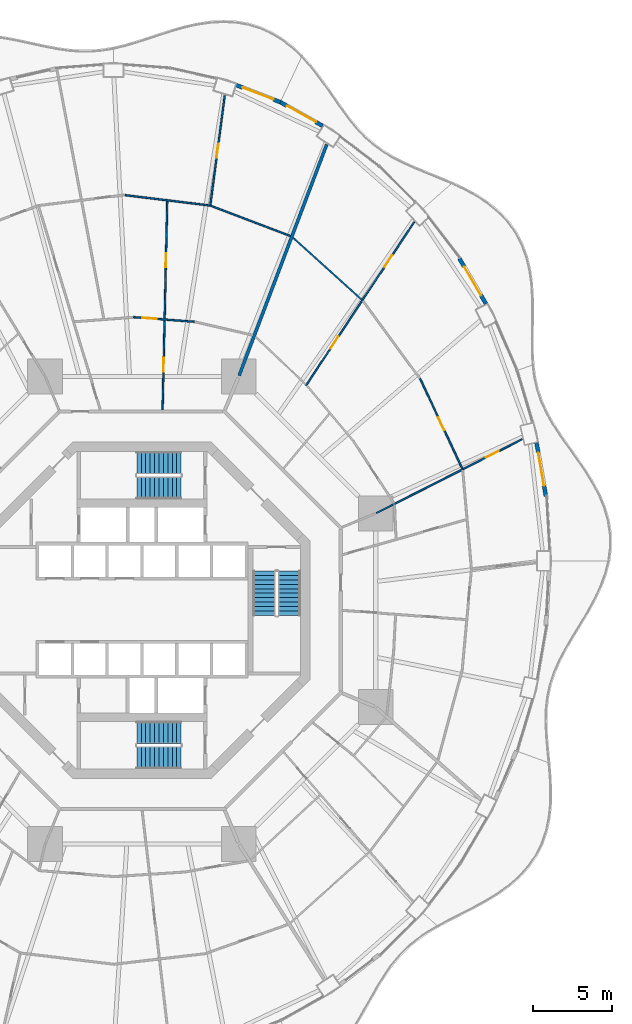
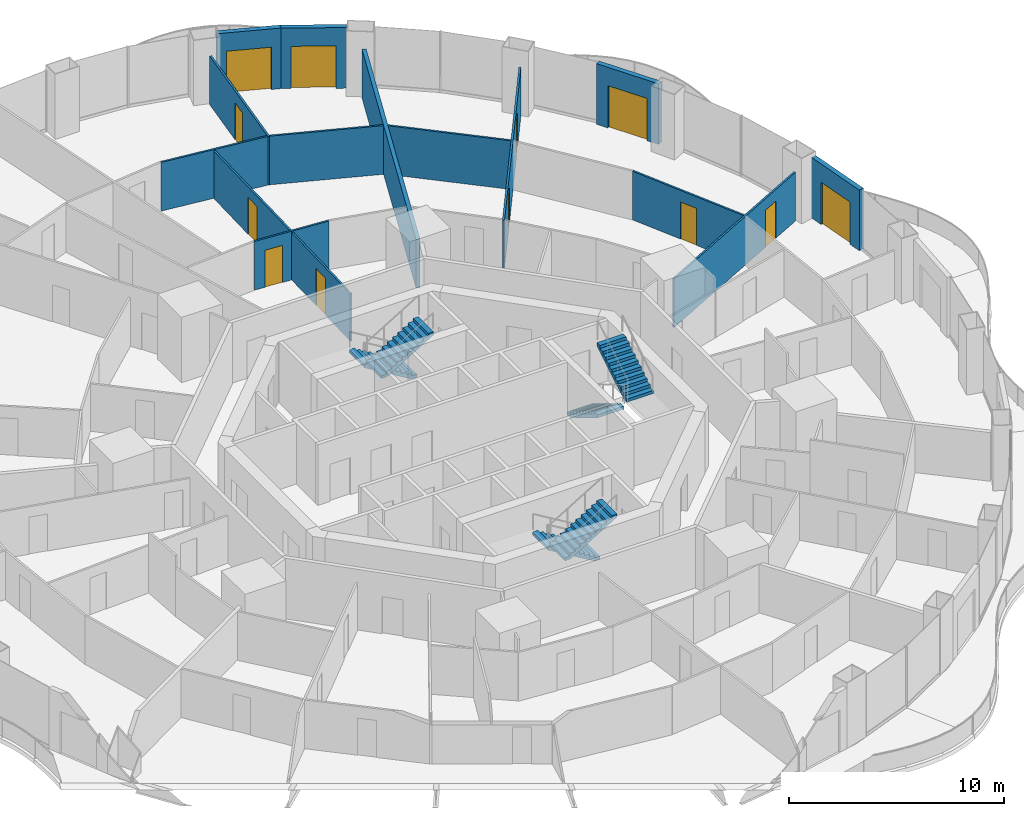
# One storey, part 19 of 22: 14 walls, 12 doors, 6 stair flights, 12 openings, 3 elements without a shape of their own.
"""IFC4 building model written with IfcOpenShell, lengths in metres."""

import ifcopenshell
import ifcopenshell.guid

model = None  # the IFC model being written
_history = None  # IfcOwnerHistory: only IFC2X3 demands one
_inside = {}  # id of a spatial element -> (the spatial element, [elements in it])
_under = {}  # id of a project, library or spatial element -> (it, [spatial elements below it])
_declared = {}  # id of a project -> (the project, [libraries it declares])
_typed = {}  # id of a type object -> (the type object, [elements of that type])
_made_of = {}  # id of a material, layer set ... -> (it, [elements and type objects made of it])


def new_model(schema):
    """Start an empty IFC model of exactly this schema.

    Asked for "IFC4X3", IfcOpenShell would pick the latest addendum, in which some entities
    have other attributes; the version numbers below select the first issue.
    IFC2X3 requires an IfcOwnerHistory on every rooted entity: one is made here for all.
    """
    global model, _history
    if schema == "IFC4X3":
        model = ifcopenshell.file(schema_version=(4, 3, 0, 0))
    else:
        model = ifcopenshell.file(schema=schema)
    _inside.clear()
    _under.clear()
    _declared.clear()
    _typed.clear()
    _made_of.clear()
    _history = None
    if model.schema == "IFC2X3":
        org = make("IfcOrganization", Name="unknown")
        user = make(
            "IfcPersonAndOrganization",
            ThePerson=make("IfcPerson", FamilyName="unknown"),
            TheOrganization=org,
        )
        app = make(
            "IfcApplication",
            ApplicationDeveloper=org,
            Version="unknown",
            ApplicationFullName="unknown",
            ApplicationIdentifier="unknown",
        )
        _history = make(
            "IfcOwnerHistory",
            OwningUser=user,
            OwningApplication=app,
            ChangeAction="ADDED",
            CreationDate=0,
        )
    return model


def make(cls, **values):
    """One entity of the class cls with the attributes given. An attribute that is None is left unset."""
    return model.create_entity(
        cls, **{name: value for name, value in values.items() if value is not None}
    )


def rooted(cls, **values):
    """An entity with a GlobalId (a new one), such as an element, a storey or a relation."""
    return make(cls, GlobalId=ifcopenshell.guid.new(), OwnerHistory=_history, **values)


def si_unit(unit_type, name, prefix=None):
    """IfcSIUnit, for example si_unit("LENGTHUNIT", "METRE", prefix="MILLI")."""
    return make("IfcSIUnit", UnitType=unit_type, Prefix=prefix, Name=name)


def assignment(units):
    """IfcUnitAssignment: the units of a project."""
    return None if units is None else make("IfcUnitAssignment", Units=units)


def point(xyz):
    """IfcCartesianPoint."""
    return None if xyz is None else make("IfcCartesianPoint", Coordinates=xyz)


def direction(xyz):
    """IfcDirection."""
    return None if xyz is None else make("IfcDirection", DirectionRatios=xyz)


def frame(location, z_axis=None, x_axis=None):
    """IfcAxis2Placement3D, a coordinate frame: its origin and axes. An axis left out is left unset."""
    return make(
        "IfcAxis2Placement3D",
        Location=point(location),
        Axis=direction(z_axis),
        RefDirection=direction(x_axis),
    )


def frame_2d(location, x_axis=None):
    """IfcAxis2Placement2D, a coordinate frame in the plane: its origin and x axis."""
    return make(
        "IfcAxis2Placement2D", Location=point(location), RefDirection=direction(x_axis)
    )


def origin():
    """The frame at (0, 0, 0) with its axes left unset."""
    return frame((0.0, 0.0, 0.0))


def place(relative_to, where):
    """IfcLocalPlacement: puts the frame where relative to a parent placement (None: the world)."""
    return make(
        "IfcLocalPlacement", PlacementRelTo=relative_to, RelativePlacement=where
    )


def context(
    kind, dimensions, precision=None, world=None, true_north=None, identifier=None
):
    """IfcGeometricRepresentationContext, for example the 3D "Model" context."""
    return make(
        "IfcGeometricRepresentationContext",
        ContextIdentifier=identifier,
        ContextType=kind,
        CoordinateSpaceDimension=dimensions,
        Precision=precision,
        WorldCoordinateSystem=world,
        TrueNorth=true_north,
    )


def subcontext(parent, identifier, kind, view, scale=None):
    """IfcGeometricRepresentationSubContext, for example "Body" below "Model"."""
    return make(
        "IfcGeometricRepresentationSubContext",
        ContextIdentifier=identifier,
        ContextType=kind,
        ParentContext=parent,
        TargetScale=scale,
        TargetView=view,
    )


def project(units=None, contexts=None):
    """IfcProject with its units and contexts."""
    return rooted(
        "IfcProject",
        Name="project",
        RepresentationContexts=contexts,
        UnitsInContext=assignment(units),
    )


def spatial(cls, under=None, at=None, **own):
    """A site, building, storey or space (cls), placed at a placement, below another one or the project."""
    s = rooted(cls, ObjectPlacement=at, **own)
    if under is not None:
        _under.setdefault(under.id(), (under, []))[1].append(s)
    return s


def polyline(points):
    """IfcPolyline through the points."""
    return make("IfcPolyline", Points=[point(p) for p in points])


def profile(cls, at=None, kind="AREA", **sizes):
    """A parametric profile (cls). Its sizes go by their IFC names, for example OverallWidth=200.0."""
    return make(cls, ProfileType=kind, Position=at, **sizes)


def rectangle(**sizes):
    """IfcRectangleProfileDef."""
    return profile("IfcRectangleProfileDef", **sizes)


def outline(outer, holes=None, kind="AREA"):
    """IfcArbitraryClosedProfileDef: a profile drawn as a closed curve; with holes, ...WithVoids."""
    if holes is None:
        return make("IfcArbitraryClosedProfileDef", ProfileType=kind, OuterCurve=outer)
    return make(
        "IfcArbitraryProfileDefWithVoids",
        ProfileType=kind,
        OuterCurve=outer,
        InnerCurves=holes,
    )


def extrude(swept, where, along, depth):
    """IfcExtrudedAreaSolid: the profile swept, set in the frame where, extruded along a direction by depth."""
    return make(
        "IfcExtrudedAreaSolid",
        SweptArea=swept,
        Position=where,
        ExtrudedDirection=direction(along),
        Depth=depth,
    )


def shape(context_of_items, identifier, shape_type, items):
    """IfcShapeRepresentation: the items that make up one representation, for example the "Body"."""
    return make(
        "IfcShapeRepresentation",
        ContextOfItems=context_of_items,
        RepresentationIdentifier=identifier,
        RepresentationType=shape_type,
        Items=items,
    )


def material(Name=None, Category=None):
    """IfcMaterial."""
    return make("IfcMaterial", Name=Name, Category=Category)


def layer(
    of_material, thickness, ventilated=None, Name=None, Category=None, Priority=None
):
    """IfcMaterialLayer: one layer of a wall or slab, of a material (None: an air gap)."""
    return make(
        "IfcMaterialLayer",
        Material=of_material,
        LayerThickness=thickness,
        IsVentilated=ventilated,
        Name=Name,
        Category=Category,
        Priority=Priority,
    )


def layer_set(layers, Name=None):
    """IfcMaterialLayerSet."""
    return make("IfcMaterialLayerSet", MaterialLayers=layers, LayerSetName=Name)


def made_of(thing, what):
    """Note that an element or type object is made of a material, layer set ...; save() writes the relation."""
    if what is not None:
        _made_of.setdefault(what.id(), (what, []))[1].append(thing)
    return thing


def type_object(cls, material=None, **own):
    """A type object (cls), such as IfcWallType, which elements share."""
    return made_of(rooted(cls, **own), material)


def element(
    cls,
    number,
    at=None,
    inside=None,
    cuts=None,
    type_object=None,
    material=None,
    context=None,
    identifier="Body",
    shape_type=None,
    held_by="IfcProductDefinitionShape",
    body=None,
    shapes=None,
    **own,
):
    """One element of the class cls, such as IfcWall. Its Tag is "e" and its number.

    at: its placement. inside: the storey or other place that contains it. cuts: it is an
    opening in that element (IfcRelVoidsElement). A single representation is given by context,
    identifier, shape_type and body (its items); several are given by shapes. held_by: the class
    of the entity that holds the representations. save() writes the other relations.
    """
    e = rooted(cls, Tag="e%d" % number, ObjectPlacement=at, **own)
    if body is not None:
        shapes = [shape(context, identifier, shape_type, body)]
    if shapes is not None:
        e.Representation = make(held_by, Representations=shapes)
    if inside is not None:
        _inside.setdefault(inside.id(), (inside, []))[1].append(e)
    if cuts is not None:
        rooted(
            "IfcRelVoidsElement", RelatingBuildingElement=cuts, RelatedOpeningElement=e
        )
    if type_object is not None:
        _typed.setdefault(type_object.id(), (type_object, []))[1].append(e)
    return made_of(e, material)


def fill(opening, filler):
    """IfcRelFillsElement: the door or window that sits in an opening."""
    return rooted(
        "IfcRelFillsElement",
        RelatingOpeningElement=opening,
        RelatedBuildingElement=filler,
    )


def aggregate(whole, parts):
    """IfcRelAggregates: a whole, such as a stair, and the parts it consists of."""
    return rooted("IfcRelAggregates", RelatingObject=whole, RelatedObjects=parts)


def save(model, path):
    """Write the relations noted so far, then the file.

    IfcRelAggregates (storeys below a building ...), IfcRelContainedInSpatialStructure (elements
    in a storey), IfcRelDefinesByType, IfcRelAssociatesMaterial and IfcRelDeclares: one each for
    every whole, place, type object, material and project.
    """
    for whole, parts in _under.values():
        aggregate(whole, parts)
    for where, things in _inside.values():
        rooted(
            "IfcRelContainedInSpatialStructure",
            RelatedElements=things,
            RelatingStructure=where,
        )
    for kind, things in _typed.values():
        rooted("IfcRelDefinesByType", RelatedObjects=things, RelatingType=kind)
    for what, things in _made_of.values():
        rooted("IfcRelAssociatesMaterial", RelatedObjects=things, RelatingMaterial=what)
    for by, libraries in _declared.values():
        rooted("IfcRelDeclares", RelatingContext=by, RelatedDefinitions=libraries)
    model.write(path)


model = new_model("IFC4")

# Units and contexts
model_context = context("Model", 3, precision=1e-05, world=origin(), true_north=direction((0.0, 1.0)))
body_context = subcontext(model_context, "Body", "Model", "MODEL_VIEW")
ifc_project = project(units=[si_unit("LENGTHUNIT", "METRE"), si_unit("AREAUNIT", "SQUARE_METRE"), si_unit("VOLUMEUNIT", "CUBIC_METRE"), si_unit("PLANEANGLEUNIT", "RADIAN"), si_unit("MASSUNIT", "GRAM", prefix="KILO")], contexts=[model_context])

# Site, building, storey
site_placement = place(None, origin())
site = spatial("IfcSite", under=ifc_project, at=site_placement, CompositionType="ELEMENT")
building_placement = place(site_placement, origin())
building = spatial("IfcBuilding", under=site, at=building_placement, Name="Nagisa Residences", CompositionType="ELEMENT")
storey_placement = place(building_placement, frame((0.0, 0.0, 91.800048828125)))
storey = spatial("IfcBuildingStorey", under=building, at=storey_placement, Name="L22", CompositionType="ELEMENT", Elevation=91.800048828125)

# Wall
ifc_material_1 = material(Name="Gypsum board on steel studs", Category="steel")
ifc_layer_1 = layer(ifc_material_1, 0.199951171875)
ifc_layer_set_1 = layer_set([ifc_layer_1], Name="Apartment compartment wall EI60 200")
wall_type_1 = type_object("IfcWallType", Name="Apartment compartment wall EI60 200", PredefinedType="PARTITIONING", material=ifc_layer_set_1)
wall_1_placement = place(storey_placement, frame((6.140625, 14.828857421875, 0.0), z_axis=(0.0, 0.0, 1.0), x_axis=(0.354477134193, 0.935064682968, 0.0)))
element("IfcWall", 1, at=wall_1_placement, inside=storey, type_object=wall_type_1, Name="wall:L22:u01", PredefinedType="PARTITIONING", context=body_context, shape_type="SweptSolid", body=[
    extrude(rectangle(XDim=15.6259765625, YDim=0.199951171875, at=frame_2d((7.81298828125, 0.0))), origin(), (0.0, 0.0, 1.0), 2.761962890625),
])

# Wall, opening, door
ifc_material_2 = material(Name="Gypsum board on steel studs", Category="steel")
ifc_layer_2 = layer(ifc_material_2, 0.10009765625)
ifc_layer_set_2 = layer_set([ifc_layer_2], Name="Apartment partition 100")
wall_type_2 = type_object("IfcWallType", Name="Apartment partition 100", PredefinedType="PARTITIONING", material=ifc_layer_set_2)
wall_2_placement = place(storey_placement, frame((14.82666015625, 6.1455078125, 0.0), z_axis=(0.0, 0.0, 1.0), x_axis=(0.892068075337, 0.451901038906, 0.0)))
wall_2 = element("IfcWall", 2, at=wall_2_placement, inside=storey, type_object=wall_type_2, Name="wall:L22:u24", PredefinedType="PARTITIONING", context=body_context, shape_type="SweptSolid", body=[
    extrude(rectangle(XDim=10.31982421875, YDim=0.10009765625, at=frame_2d((5.159912109375, 0.0))), origin(), (0.0, 0.0, 1.0), 2.761962890625),
])
opening_1_placement = place(wall_2_placement, frame((7.762939453125, 0.0, 0.0)))
opening_1 = element("IfcOpeningElement", 3, at=opening_1_placement, cuts=wall_2, Name="Opening L22-U51", PredefinedType="OPENING", context=body_context, shape_type="SweptSolid", body=[
    extrude(rectangle(XDim=0.89990234375, YDim=2.10009765625, at=frame_2d((0.449951171875, 1.050048828125))), frame((0.0, 0.06005859375, 0.0), z_axis=(0.0, -1.0, 0.0), x_axis=(1.0, 0.0, 0.0)), (0.0, 0.0, 1.0), 0.1201171875),
])
ifc_material_3 = material(Name="Timber door set", Category="wood")
door_type_1 = type_object("IfcDoorType", Name="Apartment door 900x2100", OperationType="NOTDEFINED", PredefinedType="DOOR", material=ifc_material_3)
door_1_placement = place(opening_1_placement, origin())
door_1 = element("IfcDoor", 4, at=door_1_placement, inside=storey, type_object=door_type_1, Name="Door to family room, Apartment 22E", OperationType="SINGLE_SWING_LEFT", OverallHeight=2.10009765625, OverallWidth=0.89990234375, PredefinedType="DOOR", context=body_context, shape_type="SweptSolid", body=[
    extrude(rectangle(XDim=0.89990234375, YDim=2.10009765625, at=frame_2d((0.449951171875, 1.050048828125))), frame((0.0, 0.02490234375, 0.0), z_axis=(0.0, -1.0, 0.0), x_axis=(1.0, 0.0, 0.0)), (0.0, 0.0, 1.0), 0.050048828125),
])
fill(opening_1, door_1)

wall_3_placement = place(storey_placement, frame((20.252197265625, 8.949951171875, 0.0), z_axis=(0.0, 0.0, 1.0), x_axis=(-0.424580709335, 0.905390093419, 0.0)))
wall_3 = element("IfcWall", 5, at=wall_3_placement, inside=storey, type_object=wall_type_2, Name="wall:L22:u26", PredefinedType="PARTITIONING", context=body_context, shape_type="SweptSolid", body=[
    extrude(rectangle(XDim=6.304443359375, YDim=0.10009765625, at=frame_2d((3.15234375, 0.0))), origin(), (0.0, 0.0, 1.0), 2.761962890625),
])
opening_2_placement = place(wall_3_placement, frame((2.67724609375, 0.0, 0.0)))
opening_2 = element("IfcOpeningElement", 6, at=opening_2_placement, cuts=wall_3, Name="Opening L22-U53", PredefinedType="OPENING", context=body_context, shape_type="SweptSolid", body=[
    extrude(rectangle(XDim=0.89990234375, YDim=2.10009765625, at=frame_2d((0.449951171875, 1.050048828125))), frame((0.0, 0.06005859375, 0.0), z_axis=(0.0, -1.0, 0.0), x_axis=(1.0, 0.0, 0.0)), (0.0, 0.0, 1.0), 0.1201171875),
])
door_2_placement = place(opening_2_placement, origin())
door_2 = element("IfcDoor", 7, at=door_2_placement, inside=storey, type_object=door_type_1, Name="Door to dining room, Apartment 22E", OperationType="SINGLE_SWING_LEFT", OverallHeight=2.10009765625, OverallWidth=0.89990234375, PredefinedType="DOOR", context=body_context, shape_type="SweptSolid", body=[
    extrude(rectangle(XDim=0.89990234375, YDim=2.10009765625, at=frame_2d((0.449951171875, 1.050048828125))), frame((0.0, 0.02490234375, 0.0), z_axis=(0.0, -1.0, 0.0), x_axis=(1.0, 0.0, 0.0)), (0.0, 0.0, 1.0), 0.050048828125),
])
fill(opening_2, door_2)

# Wall, openings, doors
wall_4_placement = place(storey_placement, frame((10.3642578125, 14.1982421875, 0.0), z_axis=(0.0, 0.0, 1.0), x_axis=(0.552104552927, 0.833774887267, 0.0)))
wall_4 = element("IfcWall", 8, at=wall_4_placement, inside=storey, type_object=wall_type_2, Name="wall:L22:u30", PredefinedType="PARTITIONING", context=body_context, shape_type="SweptSolid", body=[
    extrude(rectangle(XDim=12.40673828125, YDim=0.10009765625, at=frame_2d((6.203369140625, 0.0))), origin(), (0.0, 0.0, 1.0), 2.761962890625),
])
opening_3_placement = place(wall_4_placement, frame((8.98779296875, 0.0, 0.0)))
opening_3 = element("IfcOpeningElement", 9, at=opening_3_placement, cuts=wall_4, Name="Opening L22-U52", PredefinedType="OPENING", context=body_context, shape_type="SweptSolid", body=[
    extrude(rectangle(XDim=0.89990234375, YDim=2.10009765625, at=frame_2d((0.449951171875, 1.050048828125))), frame((0.0, 0.06005859375, 0.0), z_axis=(0.0, -1.0, 0.0), x_axis=(1.0, 0.0, 0.0)), (0.0, 0.0, 1.0), 0.1201171875),
])
opening_4_placement = place(wall_4_placement, frame((2.809326171875, 0.0, 0.0)))
opening_4 = element("IfcOpeningElement", 10, at=opening_4_placement, cuts=wall_4, Name="Opening L22-U54", PredefinedType="OPENING", context=body_context, shape_type="SweptSolid", body=[
    extrude(rectangle(XDim=0.89990234375, YDim=2.10009765625, at=frame_2d((0.449951171875, 1.050048828125))), frame((0.0, 0.06005859375, 0.0), z_axis=(0.0, -1.0, 0.0), x_axis=(1.0, 0.0, 0.0)), (0.0, 0.0, 1.0), 0.1201171875),
])
door_3_placement = place(opening_3_placement, origin())
door_3 = element("IfcDoor", 11, at=door_3_placement, inside=storey, type_object=door_type_1, Name="Door to master bedroom, Apartment 22E", OperationType="SINGLE_SWING_RIGHT", OverallHeight=2.10009765625, OverallWidth=0.89990234375, PredefinedType="DOOR", context=body_context, shape_type="SweptSolid", body=[
    extrude(rectangle(XDim=0.89990234375, YDim=2.10009765625, at=frame_2d((0.449951171875, 1.050048828125))), frame((0.0, 0.02490234375, 0.0), z_axis=(0.0, -1.0, 0.0), x_axis=(1.0, 0.0, 0.0)), (0.0, 0.0, 1.0), 0.050048828125),
])
fill(opening_3, door_3)
door_4_placement = place(opening_4_placement, origin())
door_4 = element("IfcDoor", 12, at=door_4_placement, inside=storey, type_object=door_type_1, Name="Door to kitchen, Apartment 22E", OperationType="SINGLE_SWING_RIGHT", OverallHeight=2.10009765625, OverallWidth=0.89990234375, PredefinedType="DOOR", context=body_context, shape_type="SweptSolid", body=[
    extrude(rectangle(XDim=0.89990234375, YDim=2.10009765625, at=frame_2d((0.449951171875, 1.050048828125))), frame((0.0, 0.02490234375, 0.0), z_axis=(0.0, -1.0, 0.0), x_axis=(1.0, 0.0, 0.0)), (0.0, 0.0, 1.0), 0.050048828125),
])
fill(opening_4, door_4)

# Walls
wall_5_placement = place(storey_placement, frame((13.8984375, 19.625244140625, 0.0), z_axis=(0.0, 0.0, 1.0), x_axis=(-0.742396654702, 0.669960601146, 0.0)))
element("IfcWall", 13, at=wall_5_placement, inside=storey, type_object=wall_type_2, Name="wall:L22:u32", PredefinedType="PARTITIONING", context=body_context, shape_type="SweptSolid", body=[
    extrude(rectangle(XDim=5.861083984375, YDim=0.10009765625, at=frame_2d((2.9306640625, 0.0))), origin(), (0.0, 0.0, 1.0), 2.761962890625),
])
wall_6_placement = place(storey_placement, frame((9.37939453125, 23.654541015625, 0.0), z_axis=(0.0, 0.0, 1.0), x_axis=(-0.934613076136, 0.355666132653, 0.0)))
element("IfcWall", 14, at=wall_6_placement, inside=storey, type_object=wall_type_2, Name="wall:L22:u34", PredefinedType="PARTITIONING", context=body_context, shape_type="SweptSolid", body=[
    extrude(rectangle(XDim=5.366455078125, YDim=0.10009765625, at=frame_2d((2.68310546875, 0.0))), origin(), (0.0, 0.0, 1.0), 2.761962890625),
])

# Wall, opening, door
wall_7_placement = place(storey_placement, frame((3.299072265625, 18.23681640625, 0.0), z_axis=(0.0, 0.0, 1.0), x_axis=(-0.997152243414, 0.075414875552, 0.0)))
wall_7 = element("IfcWall", 15, at=wall_7_placement, inside=storey, type_object=wall_type_2, Name="wall:L22:u35", PredefinedType="PARTITIONING", context=body_context, shape_type="SweptSolid", body=[
    extrude(rectangle(XDim=3.845947265625, YDim=0.10009765625, at=frame_2d((1.9228515625, 0.0))), origin(), (0.0, 0.0, 1.0), 2.761962890625),
])
opening_5_placement = place(wall_7_placement, frame((2.384521484375, 0.0, 0.0)))
opening_5 = element("IfcOpeningElement", 16, at=opening_5_placement, cuts=wall_7, Name="Opening L22-U05", PredefinedType="OPENING", context=body_context, shape_type="SweptSolid", body=[
    extrude(rectangle(XDim=0.89990234375, YDim=2.10009765625, at=frame_2d((0.449951171875, 1.050048828125))), frame((0.0, 0.06005859375, 0.0), z_axis=(0.0, -1.0, 0.0), x_axis=(1.0, 0.0, 0.0)), (0.0, 0.0, 1.0), 0.1201171875),
])
door_5_placement = place(opening_5_placement, frame((0.89990234375, 0.0, 0.0), x_axis=(-1.0, 0.0, 0.0)))
door_5 = element("IfcDoor", 17, at=door_5_placement, inside=storey, type_object=door_type_1, Name="Door to kitchen, Apartment 22A", OperationType="SINGLE_SWING_RIGHT", OverallHeight=2.10009765625, OverallWidth=0.89990234375, PredefinedType="DOOR", context=body_context, shape_type="SweptSolid", body=[
    extrude(rectangle(XDim=0.89990234375, YDim=2.10009765625, at=frame_2d((0.449951171875, 1.050048828125))), frame((0.0, 0.02490234375, 0.0), z_axis=(0.0, -1.0, 0.0), x_axis=(1.0, 0.0, 0.0)), (0.0, 0.0, 1.0), 0.050048828125),
])
fill(opening_5, door_5)

wall_8_placement = place(storey_placement, frame((4.310546875, 25.531494140625, 0.0), z_axis=(0.0, 0.0, 1.0), x_axis=(0.130604008227, 0.991434613595, 0.0)))
wall_8 = element("IfcWall", 18, at=wall_8_placement, inside=storey, type_object=wall_type_2, Name="wall:L22:u36", PredefinedType="PARTITIONING", context=body_context, shape_type="SweptSolid", body=[
    extrude(rectangle(XDim=7.054931640625, YDim=0.10009765625, at=frame_2d((3.52734375, 0.0))), origin(), (0.0, 0.0, 1.0), 2.761962890625),
])
opening_6_placement = place(wall_8_placement, frame((3.102294921875, 0.0, 0.0)))
opening_6 = element("IfcOpeningElement", 19, at=opening_6_placement, cuts=wall_8, Name="Opening L22-U16", PredefinedType="OPENING", context=body_context, shape_type="SweptSolid", body=[
    extrude(rectangle(XDim=0.89990234375, YDim=2.10009765625, at=frame_2d((0.449951171875, 1.050048828125))), frame((0.0, 0.06005859375, 0.0), z_axis=(0.0, -1.0, 0.0), x_axis=(1.0, 0.0, 0.0)), (0.0, 0.0, 1.0), 0.1201171875),
])
door_6_placement = place(opening_6_placement, frame((0.89990234375, 0.0, 0.0), x_axis=(-1.0, 0.0, 0.0)))
door_6 = element("IfcDoor", 20, at=door_6_placement, inside=storey, type_object=door_type_1, Name="Door to living room, Apartment 22A", OperationType="SINGLE_SWING_LEFT", OverallHeight=2.10009765625, OverallWidth=0.89990234375, PredefinedType="DOOR", context=body_context, shape_type="SweptSolid", body=[
    extrude(rectangle(XDim=0.89990234375, YDim=2.10009765625, at=frame_2d((0.449951171875, 1.050048828125))), frame((0.0, 0.02490234375, 0.0), z_axis=(0.0, -1.0, 0.0), x_axis=(1.0, 0.0, 0.0)), (0.0, 0.0, 1.0), 0.050048828125),
])
fill(opening_6, door_6)

# Wall
wall_9_placement = place(storey_placement, frame((4.267333984375, 25.587158203125, 0.0), z_axis=(0.0, 0.0, 1.0), x_axis=(-0.992576206119, 0.121624319302, 0.0)))
element("IfcWall", 21, at=wall_9_placement, inside=storey, type_object=wall_type_2, Name="wall:L22:u37", PredefinedType="PARTITIONING", context=body_context, shape_type="SweptSolid", body=[
    extrude(rectangle(XDim=5.37353515625, YDim=0.10009765625, at=frame_2d((2.686767578125, 0.0))), origin(), (0.0, 0.0, 1.0), 2.761962890625),
])

# Wall, openings, doors
wall_10_placement = place(storey_placement, frame((1.303466796875, 12.664794921875, 0.0), z_axis=(0.0, 0.0, 1.0), x_axis=(0.022412244057, 0.999748814111, 0.0)))
wall_10 = element("IfcWall", 22, at=wall_10_placement, inside=storey, type_object=wall_type_2, Name="wall:L22:u38", PredefinedType="PARTITIONING", context=body_context, shape_type="SweptSolid", body=[
    extrude(rectangle(XDim=13.20263671875, YDim=0.10009765625, at=frame_2d((6.601318359375, 0.0))), origin(), (0.0, 0.0, 1.0), 2.68701171875),
])
opening_7_placement = place(wall_10_placement, frame((2.407470703125, 0.0, 0.0)))
opening_7 = element("IfcOpeningElement", 23, at=opening_7_placement, cuts=wall_10, Name="Opening L22-U14", PredefinedType="OPENING", context=body_context, shape_type="SweptSolid", body=[
    extrude(rectangle(XDim=0.89990234375, YDim=2.10009765625, at=frame_2d((0.449951171875, 1.050048828125))), frame((0.0, 0.06005859375, 0.0), z_axis=(0.0, -1.0, 0.0), x_axis=(1.0, 0.0, 0.0)), (0.0, 0.0, 1.0), 0.1201171875),
])
opening_8_placement = place(wall_10_placement, frame((9.0087890625, 0.0, 0.0)))
opening_8 = element("IfcOpeningElement", 24, at=opening_8_placement, cuts=wall_10, Name="Opening L22-U15", PredefinedType="OPENING", context=body_context, shape_type="SweptSolid", body=[
    extrude(rectangle(XDim=0.89990234375, YDim=2.10009765625, at=frame_2d((0.449951171875, 1.050048828125))), frame((0.0, 0.06005859375, 0.0), z_axis=(0.0, -1.0, 0.0), x_axis=(1.0, 0.0, 0.0)), (0.0, 0.0, 1.0), 0.1201171875),
])
door_7_placement = place(opening_7_placement, frame((0.89990234375, 0.0, 0.0), x_axis=(-1.0, 0.0, 0.0)))
door_7 = element("IfcDoor", 25, at=door_7_placement, inside=storey, type_object=door_type_1, Name="Door to laundry, Apartment 22A", OperationType="SINGLE_SWING_LEFT", OverallHeight=2.10009765625, OverallWidth=0.89990234375, PredefinedType="DOOR", context=body_context, shape_type="SweptSolid", body=[
    extrude(rectangle(XDim=0.89990234375, YDim=2.10009765625, at=frame_2d((0.449951171875, 1.050048828125))), frame((0.0, 0.02490234375, 0.0), z_axis=(0.0, -1.0, 0.0), x_axis=(1.0, 0.0, 0.0)), (0.0, 0.0, 1.0), 0.050048828125),
])
fill(opening_7, door_7)
door_8_placement = place(opening_8_placement, frame((0.89990234375, 0.0, 0.0), x_axis=(-1.0, 0.0, 0.0)))
door_8 = element("IfcDoor", 26, at=door_8_placement, inside=storey, type_object=door_type_1, Name="Door to dining room, Apartment 22A", OperationType="SINGLE_SWING_RIGHT", OverallHeight=2.10009765625, OverallWidth=0.89990234375, PredefinedType="DOOR", context=body_context, shape_type="SweptSolid", body=[
    extrude(rectangle(XDim=0.89990234375, YDim=2.10009765625, at=frame_2d((0.449951171875, 1.050048828125))), frame((0.0, 0.02490234375, 0.0), z_axis=(0.0, -1.0, 0.0), x_axis=(1.0, 0.0, 0.0)), (0.0, 0.0, 1.0), 0.050048828125),
])
fill(opening_8, door_8)

# Wall, opening, door
ifc_material_4 = material(Name="Precast concrete C40/50", Category="concrete")
ifc_layer_3 = layer(ifc_material_4, 0.25)
ifc_layer_set_3 = layer_set([ifc_layer_3], Name="BALCONY DOOR WALL 250")
wall_type_3 = type_object("IfcWallType", Name="BALCONY DOOR WALL 250", PredefinedType="SOLIDWALL", material=ifc_layer_set_3)
wall_11_placement = place(storey_placement, frame((24.940185546875, 10.612548828125, 0.0), z_axis=(0.0, 0.0, 1.0), x_axis=(0.172164316671, -0.985068245385, 0.0)))
wall_11 = element("IfcWall", 27, at=wall_11_placement, inside=storey, type_object=wall_type_3, Name="wall:L22:bay01", PredefinedType="SOLIDWALL", context=body_context, shape_type="SweptSolid", body=[
    extrude(rectangle(XDim=3.454345703125, YDim=0.25, at=frame_2d((1.72705078125, 0.0))), origin(), (0.0, 0.0, 1.0), 3.43994140625),
])
opening_9_placement = place(wall_11_placement, frame((0.67724609375, 0.0, 0.0)))
opening_9 = element("IfcOpeningElement", 28, at=opening_9_placement, cuts=wall_11, Name="Opening BD-L22-01", PredefinedType="OPENING", context=body_context, shape_type="SweptSolid", body=[
    extrude(rectangle(XDim=2.10009765625, YDim=2.39990234375, at=frame_2d((1.050048828125, 1.199951171875))), frame((0.0, 0.135009765625, 0.0), z_axis=(0.0, -1.0, 0.0), x_axis=(1.0, 0.0, 0.0)), (0.0, 0.0, 1.0), 0.27001953125),
])
ifc_material_5 = material(Name="Aluminium and clear glass", Category="aluminium")
door_type_2 = type_object("IfcDoorType", Name="BALCONY SLIDING DOOR 2100x2400", OperationType="SLIDING_TO_LEFT", PredefinedType="DOOR", material=ifc_material_5)
door_9_placement = place(opening_9_placement, origin())
door_9 = element("IfcDoor", 29, at=door_9_placement, inside=storey, type_object=door_type_2, Name="door:L22:bay01", OperationType="SLIDING_TO_LEFT", OverallHeight=2.39990234375, OverallWidth=2.10009765625, PredefinedType="DOOR", context=body_context, shape_type="SweptSolid", body=[
    extrude(rectangle(XDim=2.10009765625, YDim=2.39990234375, at=frame_2d((1.050048828125, 1.199951171875))), frame((0.0, 0.02490234375, 0.0), z_axis=(0.0, -1.0, 0.0), x_axis=(1.0, 0.0, 0.0)), (0.0, 0.0, 1.0), 0.050048828125),
])
fill(opening_9, door_9)

wall_12_placement = place(storey_placement, frame((20.064208984375, 22.239501953125, 0.0), z_axis=(0.0, 0.0, 1.0), x_axis=(0.506297921217, -0.862358634775, 0.0)))
wall_12 = element("IfcWall", 30, at=wall_12_placement, inside=storey, type_object=wall_type_3, Name="wall:L22:bay04", PredefinedType="SOLIDWALL", context=body_context, shape_type="SweptSolid", body=[
    extrude(rectangle(XDim=3.32470703125, YDim=0.25, at=frame_2d((1.662353515625, 0.0))), origin(), (0.0, 0.0, 1.0), 3.43994140625),
])
opening_10_placement = place(wall_12_placement, frame((0.6123046875, 0.0, 0.0)))
opening_10 = element("IfcOpeningElement", 31, at=opening_10_placement, cuts=wall_12, Name="Opening BD-L22-02", PredefinedType="OPENING", context=body_context, shape_type="SweptSolid", body=[
    extrude(rectangle(XDim=2.10009765625, YDim=2.39990234375, at=frame_2d((1.050048828125, 1.199951171875))), frame((0.0, 0.135009765625, 0.0), z_axis=(0.0, -1.0, 0.0), x_axis=(1.0, 0.0, 0.0)), (0.0, 0.0, 1.0), 0.27001953125),
])
door_10_placement = place(opening_10_placement, origin())
door_10 = element("IfcDoor", 32, at=door_10_placement, inside=storey, type_object=door_type_2, Name="door:L22:bay04", OperationType="SLIDING_TO_LEFT", OverallHeight=2.39990234375, OverallWidth=2.10009765625, PredefinedType="DOOR", context=body_context, shape_type="SweptSolid", body=[
    extrude(rectangle(XDim=2.10009765625, YDim=2.39990234375, at=frame_2d((1.050048828125, 1.199951171875))), frame((0.0, 0.02490234375, 0.0), z_axis=(0.0, -1.0, 0.0), x_axis=(1.0, 0.0, 0.0)), (0.0, 0.0, 1.0), 0.050048828125),
])
fill(opening_10, door_10)

wall_13_placement = place(storey_placement, frame((8.7373046875, 32.124755859375, 0.0), z_axis=(0.0, 0.0, 1.0), x_axis=(0.872071158476, -0.489379090843, 0.0)))
wall_13 = element("IfcWall", 33, at=wall_13_placement, inside=storey, type_object=wall_type_3, Name="wall:L22:bay08", PredefinedType="SOLIDWALL", context=body_context, shape_type="SweptSolid", body=[
    extrude(rectangle(XDim=3.07568359375, YDim=0.25, at=frame_2d((1.537841796875, 0.0))), origin(), (0.0, 0.0, 1.0), 3.43994140625),
])
opening_11_placement = place(wall_13_placement, frame((0.48779296875, 0.0, 0.0)))
opening_11 = element("IfcOpeningElement", 34, at=opening_11_placement, cuts=wall_13, Name="Opening BD-L22-03", PredefinedType="OPENING", context=body_context, shape_type="SweptSolid", body=[
    extrude(rectangle(XDim=2.10009765625, YDim=2.39990234375, at=frame_2d((1.050048828125, 1.199951171875))), frame((0.0, 0.135009765625, 0.0), z_axis=(0.0, -1.0, 0.0), x_axis=(1.0, 0.0, 0.0)), (0.0, 0.0, 1.0), 0.27001953125),
])
door_11_placement = place(opening_11_placement, origin())
door_11 = element("IfcDoor", 35, at=door_11_placement, inside=storey, type_object=door_type_2, Name="door:L22:bay08", OperationType="SLIDING_TO_LEFT", OverallHeight=2.39990234375, OverallWidth=2.10009765625, PredefinedType="DOOR", context=body_context, shape_type="SweptSolid", body=[
    extrude(rectangle(XDim=2.10009765625, YDim=2.39990234375, at=frame_2d((1.050048828125, 1.199951171875))), frame((0.0, 0.02490234375, 0.0), z_axis=(0.0, -1.0, 0.0), x_axis=(1.0, 0.0, 0.0)), (0.0, 0.0, 1.0), 0.050048828125),
])
fill(opening_11, door_11)

wall_14_placement = place(storey_placement, frame((5.92919921875, 33.2080078125, 0.0), z_axis=(0.0, 0.0, 1.0), x_axis=(0.932837560624, -0.360297218263, 0.0)))
wall_14 = element("IfcWall", 36, at=wall_14_placement, inside=storey, type_object=wall_type_3, Name="wall:L22:bay09", PredefinedType="SOLIDWALL", context=body_context, shape_type="SweptSolid", body=[
    extrude(rectangle(XDim=3.027587890625, YDim=0.25, at=frame_2d((1.513671875, 0.0))), origin(), (0.0, 0.0, 1.0), 3.43994140625),
])
opening_12_placement = place(wall_14_placement, frame((0.463623046875, 0.0, 0.0)))
opening_12 = element("IfcOpeningElement", 37, at=opening_12_placement, cuts=wall_14, Name="Opening BD-L22-04", PredefinedType="OPENING", context=body_context, shape_type="SweptSolid", body=[
    extrude(rectangle(XDim=2.10009765625, YDim=2.39990234375, at=frame_2d((1.050048828125, 1.199951171875))), frame((0.0, 0.135009765625, 0.0), z_axis=(0.0, -1.0, 0.0), x_axis=(1.0, 0.0, 0.0)), (0.0, 0.0, 1.0), 0.27001953125),
])
door_12_placement = place(opening_12_placement, origin())
door_12 = element("IfcDoor", 38, at=door_12_placement, inside=storey, type_object=door_type_2, Name="door:L22:bay09", OperationType="SLIDING_TO_LEFT", OverallHeight=2.39990234375, OverallWidth=2.10009765625, PredefinedType="DOOR", context=body_context, shape_type="SweptSolid", body=[
    extrude(rectangle(XDim=2.10009765625, YDim=2.39990234375, at=frame_2d((1.050048828125, 1.199951171875))), frame((0.0, 0.02490234375, 0.0), z_axis=(0.0, -1.0, 0.0), x_axis=(1.0, 0.0, 0.0)), (0.0, 0.0, 1.0), 0.050048828125),
])
fill(opening_12, door_12)

# Stair, stair flights
ifc_material_6 = material(Name="Concrete C60", Category="concrete")
stair_type = type_object("IfcStairType", Name="Exit stair", PredefinedType="HALF_TURN_STAIR", material=ifc_material_6)
stair_1_placement = place(storey_placement, origin())
stair_1 = element("IfcStair", 39, at=stair_1_placement, inside=storey, type_object=stair_type, Name="L22 Exit stair E", PredefinedType="HALF_TURN_STAIR")
ifc_material_7 = material(Name="Concrete C60", Category="concrete")
stair_flight_type = type_object("IfcStairFlightType", Name="Exit stair flight", PredefinedType="STRAIGHT", material=ifc_material_7)
stair_flight_1_placement = place(storey_placement, frame((7.737060546875, 2.47509765625, 0.0), z_axis=(0.0, 0.0, 1.0), x_axis=(0.0, -1.0, 0.0)))
stair_flight_1 = element("IfcStairFlight", 40, at=stair_flight_1_placement, type_object=stair_flight_type, Name="ST-E flight 1", NumberOfRisers=11, NumberOfTreads=10, PredefinedType="STRAIGHT", RiserHeight=0.168181818, TreadLength=0.28, context=body_context, shape_type="SweptSolid", body=[
    extrude(outline(polyline([(0.0, 0.0), (0.0, 0.168212890625), (0.280029296875, 0.168212890625), (0.280029296875, 0.33642578125), (0.56005859375, 0.33642578125), (0.56005859375, 0.504638671875), (0.840087890625, 0.504638671875), (0.840087890625, 0.672607421875), (1.1201171875, 0.672607421875), (1.1201171875, 0.8408203125), (1.39990234375, 0.8408203125), (1.39990234375, 1.009033203125), (1.679931640625, 1.009033203125), (1.679931640625, 1.17724609375), (1.9599609375, 1.17724609375), (1.9599609375, 1.345458984375), (2.239990234375, 1.345458984375), (2.239990234375, 1.513671875), (2.52001953125, 1.513671875), (2.52001953125, 1.681884765625), (2.800048828125, 1.681884765625), (2.800048828125, 1.85009765625), (2.800048828125, 1.5068359375), (0.291015625, 0.0), (0.0, 0.0)])), frame((0.0, 0.71240234375, 0.0), z_axis=(0.0, -1.0, 0.0), x_axis=(1.0, 0.0, 0.0)), (0.0, 0.0, 1.0), 1.425048828125),
])
stair_flight_2_placement = place(storey_placement, frame((9.31201171875, -0.324951171875, 1.849853515625), z_axis=(0.0, 0.0, 1.0), x_axis=(0.0, 1.0, 0.0)))
stair_flight_2 = element("IfcStairFlight", 41, at=stair_flight_2_placement, type_object=stair_flight_type, Name="ST-E flight 2", NumberOfRisers=11, NumberOfTreads=10, PredefinedType="STRAIGHT", RiserHeight=0.168181818, TreadLength=0.28, context=body_context, shape_type="SweptSolid", body=[
    extrude(outline(polyline([(0.0, 0.0), (0.0, 0.168212890625), (0.280029296875, 0.168212890625), (0.280029296875, 0.33642578125), (0.56005859375, 0.33642578125), (0.56005859375, 0.504638671875), (0.840087890625, 0.504638671875), (0.840087890625, 0.672607421875), (1.1201171875, 0.672607421875), (1.1201171875, 0.8408203125), (1.39990234375, 0.8408203125), (1.39990234375, 1.009033203125), (1.679931640625, 1.009033203125), (1.679931640625, 1.17724609375), (1.9599609375, 1.17724609375), (1.9599609375, 1.345458984375), (2.239990234375, 1.345458984375), (2.239990234375, 1.513671875), (2.52001953125, 1.513671875), (2.52001953125, 1.681884765625), (2.800048828125, 1.681884765625), (2.800048828125, 1.85009765625), (2.800048828125, 1.5068359375), (0.291015625, 0.0), (0.0, 0.0)])), frame((0.0, 0.71240234375, 0.0), z_axis=(0.0, -1.0, 0.0), x_axis=(1.0, 0.0, 0.0)), (0.0, 0.0, 1.0), 1.425048828125),
])
aggregate(stair_1, [stair_flight_1, stair_flight_2])

stair_2_placement = place(storey_placement, origin())
stair_2 = element("IfcStair", 42, at=stair_2_placement, inside=storey, type_object=stair_type, Name="L22 Exit stair N", PredefinedType="HALF_TURN_STAIR")
stair_flight_3_placement = place(storey_placement, frame((2.47509765625, 9.31201171875, 0.0), z_axis=(0.0, 0.0, 1.0), x_axis=(-1.0, 0.0, 0.0)))
stair_flight_3 = element("IfcStairFlight", 43, at=stair_flight_3_placement, type_object=stair_flight_type, Name="ST-N flight 1", NumberOfRisers=11, NumberOfTreads=10, PredefinedType="STRAIGHT", RiserHeight=0.168181818, TreadLength=0.28, context=body_context, shape_type="SweptSolid", body=[
    extrude(outline(polyline([(0.0, 0.0), (0.0, 0.168212890625), (0.280029296875, 0.168212890625), (0.280029296875, 0.33642578125), (0.56005859375, 0.33642578125), (0.56005859375, 0.504638671875), (0.840087890625, 0.504638671875), (0.840087890625, 0.672607421875), (1.1201171875, 0.672607421875), (1.1201171875, 0.8408203125), (1.39990234375, 0.8408203125), (1.39990234375, 1.009033203125), (1.679931640625, 1.009033203125), (1.679931640625, 1.17724609375), (1.9599609375, 1.17724609375), (1.9599609375, 1.345458984375), (2.239990234375, 1.345458984375), (2.239990234375, 1.513671875), (2.52001953125, 1.513671875), (2.52001953125, 1.681884765625), (2.800048828125, 1.681884765625), (2.800048828125, 1.85009765625), (2.800048828125, 1.5068359375), (0.291015625, 0.0), (0.0, 0.0)])), frame((0.0, 0.71240234375, 0.0), z_axis=(0.0, -1.0, 0.0), x_axis=(1.0, 0.0, 0.0)), (0.0, 0.0, 1.0), 1.425048828125),
])
stair_flight_4_placement = place(storey_placement, frame((-0.324951171875, 7.737060546875, 1.849853515625), z_axis=(0.0, 0.0, 1.0), x_axis=(1.0, 0.0, 0.0)))
stair_flight_4 = element("IfcStairFlight", 44, at=stair_flight_4_placement, type_object=stair_flight_type, Name="ST-N flight 2", NumberOfRisers=11, NumberOfTreads=10, PredefinedType="STRAIGHT", RiserHeight=0.168181818, TreadLength=0.28, context=body_context, shape_type="SweptSolid", body=[
    extrude(outline(polyline([(0.0, 0.0), (0.0, 0.168212890625), (0.280029296875, 0.168212890625), (0.280029296875, 0.33642578125), (0.56005859375, 0.33642578125), (0.56005859375, 0.504638671875), (0.840087890625, 0.504638671875), (0.840087890625, 0.672607421875), (1.1201171875, 0.672607421875), (1.1201171875, 0.8408203125), (1.39990234375, 0.8408203125), (1.39990234375, 1.009033203125), (1.679931640625, 1.009033203125), (1.679931640625, 1.17724609375), (1.9599609375, 1.17724609375), (1.9599609375, 1.345458984375), (2.239990234375, 1.345458984375), (2.239990234375, 1.513671875), (2.52001953125, 1.513671875), (2.52001953125, 1.681884765625), (2.800048828125, 1.681884765625), (2.800048828125, 1.85009765625), (2.800048828125, 1.5068359375), (0.291015625, 0.0), (0.0, 0.0)])), frame((0.0, 0.71240234375, 0.0), z_axis=(0.0, -1.0, 0.0), x_axis=(1.0, 0.0, 0.0)), (0.0, 0.0, 1.0), 1.425048828125),
])
aggregate(stair_2, [stair_flight_3, stair_flight_4])

stair_3_placement = place(storey_placement, origin())
stair_3 = element("IfcStair", 45, at=stair_3_placement, inside=storey, type_object=stair_type, Name="L22 Exit stair S", PredefinedType="HALF_TURN_STAIR")
stair_flight_5_placement = place(storey_placement, frame((2.47509765625, -7.737060546875, 0.0), z_axis=(0.0, 0.0, 1.0), x_axis=(-1.0, 0.0, 0.0)))
stair_flight_5 = element("IfcStairFlight", 46, at=stair_flight_5_placement, type_object=stair_flight_type, Name="ST-S flight 1", NumberOfRisers=11, NumberOfTreads=10, PredefinedType="STRAIGHT", RiserHeight=0.168181818, TreadLength=0.28, context=body_context, shape_type="SweptSolid", body=[
    extrude(outline(polyline([(0.0, 0.0), (0.0, 0.168212890625), (0.280029296875, 0.168212890625), (0.280029296875, 0.33642578125), (0.56005859375, 0.33642578125), (0.56005859375, 0.504638671875), (0.840087890625, 0.504638671875), (0.840087890625, 0.672607421875), (1.1201171875, 0.672607421875), (1.1201171875, 0.8408203125), (1.39990234375, 0.8408203125), (1.39990234375, 1.009033203125), (1.679931640625, 1.009033203125), (1.679931640625, 1.17724609375), (1.9599609375, 1.17724609375), (1.9599609375, 1.345458984375), (2.239990234375, 1.345458984375), (2.239990234375, 1.513671875), (2.52001953125, 1.513671875), (2.52001953125, 1.681884765625), (2.800048828125, 1.681884765625), (2.800048828125, 1.85009765625), (2.800048828125, 1.5068359375), (0.291015625, 0.0), (0.0, 0.0)])), frame((0.0, 0.71240234375, 0.0), z_axis=(0.0, -1.0, 0.0), x_axis=(1.0, 0.0, 0.0)), (0.0, 0.0, 1.0), 1.425048828125),
])
stair_flight_6_placement = place(storey_placement, frame((-0.324951171875, -9.31201171875, 1.849853515625), z_axis=(0.0, 0.0, 1.0), x_axis=(1.0, 0.0, 0.0)))
stair_flight_6 = element("IfcStairFlight", 47, at=stair_flight_6_placement, type_object=stair_flight_type, Name="ST-S flight 2", NumberOfRisers=11, NumberOfTreads=10, PredefinedType="STRAIGHT", RiserHeight=0.168181818, TreadLength=0.28, context=body_context, shape_type="SweptSolid", body=[
    extrude(outline(polyline([(0.0, 0.0), (0.0, 0.168212890625), (0.280029296875, 0.168212890625), (0.280029296875, 0.33642578125), (0.56005859375, 0.33642578125), (0.56005859375, 0.504638671875), (0.840087890625, 0.504638671875), (0.840087890625, 0.672607421875), (1.1201171875, 0.672607421875), (1.1201171875, 0.8408203125), (1.39990234375, 0.8408203125), (1.39990234375, 1.009033203125), (1.679931640625, 1.009033203125), (1.679931640625, 1.17724609375), (1.9599609375, 1.17724609375), (1.9599609375, 1.345458984375), (2.239990234375, 1.345458984375), (2.239990234375, 1.513671875), (2.52001953125, 1.513671875), (2.52001953125, 1.681884765625), (2.800048828125, 1.681884765625), (2.800048828125, 1.85009765625), (2.800048828125, 1.5068359375), (0.291015625, 0.0), (0.0, 0.0)])), frame((0.0, 0.71240234375, 0.0), z_axis=(0.0, -1.0, 0.0), x_axis=(1.0, 0.0, 0.0)), (0.0, 0.0, 1.0), 1.425048828125),
])
aggregate(stair_3, [stair_flight_5, stair_flight_6])

save(model, "model.ifc")
